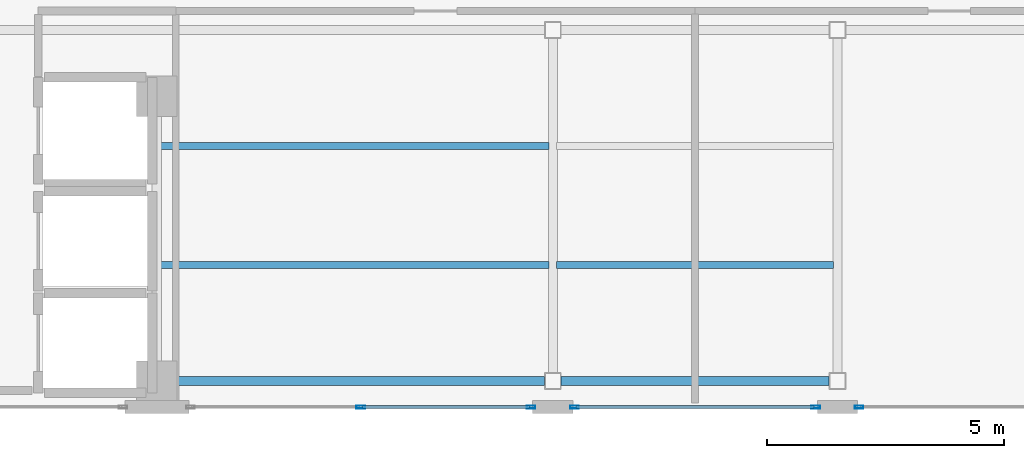
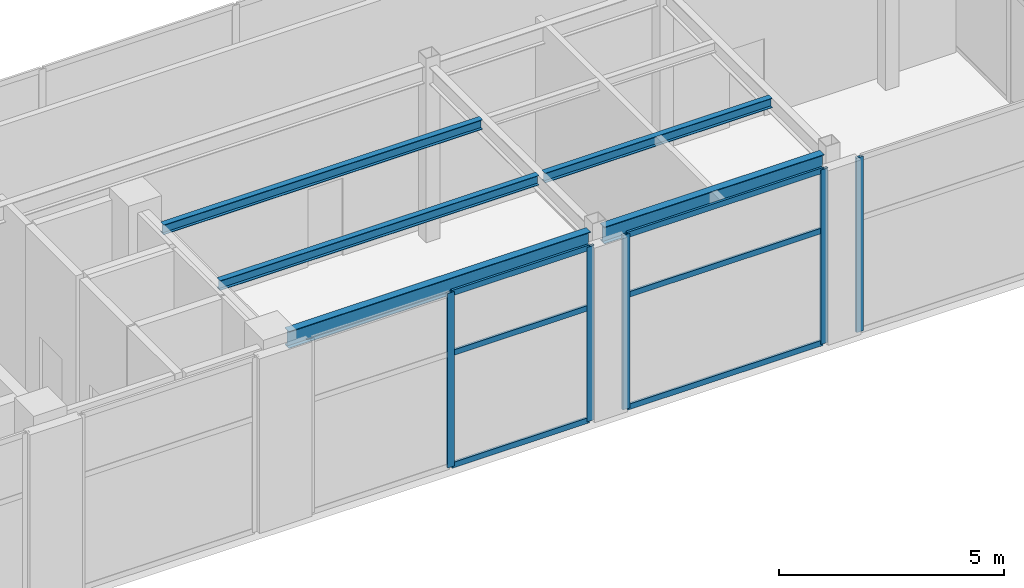
# One storey, part 7 of 18: 11 members, 5 beams, 3 elements without a shape of their own.
"""IFC4 building model written with IfcOpenShell, lengths in metres."""

from ifc_helpers import new_model, si_unit, direction, frame, origin, origin_2d, place, context, subcontext, project, spatial, hollow_rectangle, i_section, extrude, material, layer, layer_set, material_profile, profile_set, type_object, element, aggregate, save


model = new_model("IFC4")

# Units and contexts
model_context = context("Model", 3, precision=1e-05, world=origin(), true_north=direction((0.0, 1.0)))
body_context = subcontext(model_context, "Body", "Model", "MODEL_VIEW")
ifc_project = project(units=[si_unit("LENGTHUNIT", "METRE"), si_unit("AREAUNIT", "SQUARE_METRE"), si_unit("VOLUMEUNIT", "CUBIC_METRE"), si_unit("PLANEANGLEUNIT", "RADIAN"), si_unit("MASSUNIT", "GRAM", prefix="KILO")], contexts=[model_context])

# Site, building, storey
site_placement = place(None, origin())
site = spatial("IfcSite", under=ifc_project, at=site_placement, CompositionType="ELEMENT")
building_placement = place(site_placement, origin())
building = spatial("IfcBuilding", under=site, at=building_placement, Name="Mawjaban Terraces University", CompositionType="ELEMENT")
storey_placement = place(building_placement, frame((0.0, 0.0, 316.699951171875)))
storey = spatial("IfcBuildingStorey", under=building, at=storey_placement, Name="L77", CompositionType="ELEMENT", Elevation=316.699951171875)

# Beams
ifc_material_1 = material(Name="Steel ASTM A572 Grade 50", Category="steel")
ifc_material_profile_1 = material_profile(ifc_material_1, i_section(OverallWidth=0.19189453125, OverallDepth=0.462890625, WebThickness=0.010498046875, FlangeThickness=0.017578125, at=origin_2d()), Name="W460X89")
ifc_profile_set_1 = profile_set([ifc_material_profile_1], Name="Steel ASTM A572 Grade 50")
beam_type_1 = type_object("IfcBeamType", Name="Beam_B_W460X89", PredefinedType="BEAM", material=ifc_profile_set_1)
beam_1_placement = place(storey_placement, frame((38.074951171875, 0.550048828125, 4.509033203125), z_axis=(1.0, 0.0, 0.0), x_axis=(0.0, 1.0, 0.0)))
element("IfcBeam", 1, at=beam_1_placement, inside=storey, type_object=beam_type_1, Name="L77 Beam BM-L77-EW-01", PredefinedType="BEAM", context=body_context, shape_type="SweptSolid", body=[
    extrude(i_section(OverallWidth=0.19189453125, OverallDepth=0.462890625, WebThickness=0.010498046875, FlangeThickness=0.017578125, at=origin_2d()), origin(), (0.0, 0.0, 1.0), 7.75),
])
beam_2_placement = place(storey_placement, frame((46.175048828125, 0.550048828125, 4.509033203125), z_axis=(1.0, 0.0, 0.0), x_axis=(0.0, 1.0, 0.0)))
element("IfcBeam", 2, at=beam_2_placement, inside=storey, type_object=beam_type_1, Name="L77 Beam BM-L77-EW-02", PredefinedType="BEAM", context=body_context, shape_type="SweptSolid", body=[
    extrude(i_section(OverallWidth=0.19189453125, OverallDepth=0.462890625, WebThickness=0.010498046875, FlangeThickness=0.017578125, at=origin_2d()), origin(), (0.0, 0.0, 1.0), 5.64990234375),
])
ifc_material_profile_2 = material_profile(ifc_material_1, i_section(OverallWidth=0.14794921875, OverallDepth=0.26611328125, WebThickness=0.007568359375, FlangeThickness=0.012939453125, at=origin_2d()), Name="W250X45")
ifc_profile_set_2 = profile_set([ifc_material_profile_2], Name="Steel ASTM A572 Grade 50")
beam_type_2 = type_object("IfcBeamType", Name="Beam_J_W250X45", PredefinedType="JOIST", material=ifc_profile_set_2)
beam_3_placement = place(storey_placement, frame((37.72998046875, 3.0, 4.60693359375), z_axis=(1.0, 0.0, 0.0), x_axis=(0.0, 1.0, 0.0)))
element("IfcBeam", 3, at=beam_3_placement, inside=storey, type_object=beam_type_2, Name="L77 Composite Joist JST-L77-01", PredefinedType="JOIST", context=body_context, shape_type="SweptSolid", body=[
    extrude(i_section(OverallWidth=0.14794921875, OverallDepth=0.26611328125, WebThickness=0.007568359375, FlangeThickness=0.012939453125, at=origin_2d()), origin(), (0.0, 0.0, 1.0), 8.18994140625),
])
beam_4_placement = place(storey_placement, frame((46.080078125, 3.0, 4.60693359375), z_axis=(1.0, 0.0, 0.0), x_axis=(0.0, 1.0, 0.0)))
element("IfcBeam", 4, at=beam_4_placement, inside=storey, type_object=beam_type_2, Name="L77 Composite Joist JST-L77-02", PredefinedType="JOIST", context=body_context, shape_type="SweptSolid", body=[
    extrude(i_section(OverallWidth=0.14794921875, OverallDepth=0.26611328125, WebThickness=0.007568359375, FlangeThickness=0.012939453125, at=origin_2d()), origin(), (0.0, 0.0, 1.0), 5.83984375),
])
beam_5_placement = place(storey_placement, frame((37.72998046875, 5.5, 4.60693359375), z_axis=(1.0, 0.0, 0.0), x_axis=(0.0, 1.0, 0.0)))
element("IfcBeam", 5, at=beam_5_placement, inside=storey, type_object=beam_type_2, Name="L77 Composite Joist JST-L77-03", PredefinedType="JOIST", context=body_context, shape_type="SweptSolid", body=[
    extrude(i_section(OverallWidth=0.14794921875, OverallDepth=0.26611328125, WebThickness=0.007568359375, FlangeThickness=0.012939453125, at=origin_2d()), origin(), (0.0, 0.0, 1.0), 8.18994140625),
])

# Curtain wall, members
ifc_material_2 = material(Name="Anodised aluminium 6063-T6 and solar-control low-E glass", Category="aluminium")
ifc_layer = layer(ifc_material_2, 0.199951171875)
ifc_layer_set = layer_set([ifc_layer], Name="Anodised aluminium 6063-T6 and solar-control low-E glass")
curtain_wall_type = type_object("IfcCurtainWallType", Name="CWSystem_06_ObservationCrown", PredefinedType="NOTDEFINED", material=ifc_layer_set)
curtain_wall_1_placement = place(storey_placement, origin())
curtain_wall_1 = element("IfcCurtainWall", 6, at=curtain_wall_1_placement, inside=storey, type_object=curtain_wall_type, Name="L77 Curtain Wall CW-06 Run 1.3", PredefinedType="NOTDEFINED")
ifc_material_3 = material(Name="Anodised aluminium 6063-T6", Category="aluminium")
ifc_material_profile_3 = material_profile(ifc_material_3, hollow_rectangle(XDim=0.06494140625, YDim=0.179931640625, WallThickness=0.00390625, at=origin_2d()), Name="ALU180X65X4")
ifc_profile_set_3 = profile_set([ifc_material_profile_3], Name="Anodised aluminium 6063-T6")
member_type_1 = type_object("IfcMemberType", Name="Mullion_CW-06", PredefinedType="MULLION", material=ifc_profile_set_3)
member_1_placement = place(storey_placement, frame((41.949951171875, 0.0, 0.0), z_axis=(0.0, 0.0, 1.0), x_axis=(0.0, 1.0, 0.0)))
member_1 = element("IfcMember", 7, at=member_1_placement, type_object=member_type_1, Name="CW-06 mullion 2", PredefinedType="MULLION", context=body_context, shape_type="SweptSolid", body=[
    extrude(hollow_rectangle(XDim=0.06494140625, YDim=0.179931640625, WallThickness=0.00390625, at=origin_2d()), origin(), (0.0, 0.0, 1.0), 4.739990234375),
])
member_2_placement = place(storey_placement, frame((45.54248046875, 0.0, 0.0), z_axis=(0.0, 0.0, 1.0), x_axis=(0.0, 1.0, 0.0)))
member_2 = element("IfcMember", 8, at=member_2_placement, type_object=member_type_1, Name="CW-06 mullion 3", PredefinedType="MULLION", context=body_context, shape_type="SweptSolid", body=[
    extrude(hollow_rectangle(XDim=0.06494140625, YDim=0.179931640625, WallThickness=0.00390625, at=origin_2d()), origin(), (0.0, 0.0, 1.0), 4.739990234375),
])

curtain_wall_2_placement = place(storey_placement, origin())
curtain_wall_2 = element("IfcCurtainWall", 9, at=curtain_wall_2_placement, inside=storey, type_object=curtain_wall_type, Name="L77 Curtain Wall CW-06 Run 1.4", PredefinedType="NOTDEFINED")
member_3_placement = place(storey_placement, frame((46.45751953125, 0.0, 0.0), z_axis=(0.0, 0.0, 1.0), x_axis=(0.0, 1.0, 0.0)))
member_3 = element("IfcMember", 10, at=member_3_placement, type_object=member_type_1, Name="CW-06 mullion 1", PredefinedType="MULLION", context=body_context, shape_type="SweptSolid", body=[
    extrude(hollow_rectangle(XDim=0.06494140625, YDim=0.179931640625, WallThickness=0.00390625, at=origin_2d()), origin(), (0.0, 0.0, 1.0), 4.739990234375),
])
member_4_placement = place(storey_placement, frame((51.54248046875, 0.0, 0.0), z_axis=(0.0, 0.0, 1.0), x_axis=(0.0, 1.0, 0.0)))
member_4 = element("IfcMember", 11, at=member_4_placement, type_object=member_type_1, Name="CW-06 mullion 2", PredefinedType="MULLION", context=body_context, shape_type="SweptSolid", body=[
    extrude(hollow_rectangle(XDim=0.06494140625, YDim=0.179931640625, WallThickness=0.00390625, at=origin_2d()), origin(), (0.0, 0.0, 1.0), 4.739990234375),
])

# Curtain wall, member
curtain_wall_3_placement = place(storey_placement, origin())
curtain_wall_3 = element("IfcCurtainWall", 12, at=curtain_wall_3_placement, inside=storey, type_object=curtain_wall_type, Name="L77 Curtain Wall CW-06 Run 1.5", PredefinedType="NOTDEFINED")
member_5_placement = place(storey_placement, frame((52.45751953125, 0.0, 0.0), z_axis=(0.0, 0.0, 1.0), x_axis=(0.0, 1.0, 0.0)))
member_5 = element("IfcMember", 13, at=member_5_placement, type_object=member_type_1, Name="CW-06 mullion 1", PredefinedType="MULLION", context=body_context, shape_type="SweptSolid", body=[
    extrude(hollow_rectangle(XDim=0.06494140625, YDim=0.179931640625, WallThickness=0.00390625, at=origin_2d()), origin(), (0.0, 0.0, 1.0), 4.739990234375),
])
aggregate(curtain_wall_3, [member_5])

# Member
ifc_material_profile_4 = material_profile(ifc_material_3, hollow_rectangle(XDim=0.06005859375, YDim=0.14990234375, WallThickness=0.00390625, at=origin_2d()), Name="ALU150X60X4")
ifc_profile_set_4 = profile_set([ifc_material_profile_4], Name="Anodised aluminium 6063-T6")
member_type_2 = type_object("IfcMemberType", Name="Transom_CW-06", PredefinedType="NOTDEFINED", material=ifc_profile_set_4)
member_6_placement = place(storey_placement, frame((41.982421875, 0.0, 0.030029296875), z_axis=(1.0, 0.0, 0.0), x_axis=(0.0, 1.0, 0.0)))
member_6 = element("IfcMember", 14, at=member_6_placement, type_object=member_type_2, Name="CW-06 transom 2.1", ObjectType="TRANSOM", PredefinedType="USERDEFINED", context=body_context, shape_type="SweptSolid", body=[
    extrude(hollow_rectangle(XDim=0.06005859375, YDim=0.14990234375, WallThickness=0.00390625, at=origin_2d()), origin(), (0.0, 0.0, 1.0), 3.527587890625),
])

member_7_placement = place(storey_placement, frame((41.982421875, 0.0, 3.0810546875), z_axis=(1.0, 0.0, 0.0), x_axis=(0.0, 1.0, 0.0)))
member_7 = element("IfcMember", 15, at=member_7_placement, type_object=member_type_2, Name="CW-06 transom 2.2", ObjectType="TRANSOM", PredefinedType="USERDEFINED", context=body_context, shape_type="SweptSolid", body=[
    extrude(hollow_rectangle(XDim=0.06005859375, YDim=0.14990234375, WallThickness=0.00390625, at=origin_2d()), origin(), (0.0, 0.0, 1.0), 3.527587890625),
])

member_8_placement = place(storey_placement, frame((41.982421875, 0.0, 4.7099609375), z_axis=(1.0, 0.0, 0.0), x_axis=(0.0, 1.0, 0.0)))
member_8 = element("IfcMember", 16, at=member_8_placement, type_object=member_type_2, Name="CW-06 transom 2.3", ObjectType="TRANSOM", PredefinedType="USERDEFINED", context=body_context, shape_type="SweptSolid", body=[
    extrude(hollow_rectangle(XDim=0.06005859375, YDim=0.14990234375, WallThickness=0.00390625, at=origin_2d()), origin(), (0.0, 0.0, 1.0), 3.527587890625),
])

aggregate(curtain_wall_1, [member_1, member_2, member_6, member_7, member_8])

member_9_placement = place(storey_placement, frame((46.489990234375, 0.0, 0.030029296875), z_axis=(1.0, 0.0, 0.0), x_axis=(0.0, 1.0, 0.0)))
member_9 = element("IfcMember", 17, at=member_9_placement, type_object=member_type_2, Name="CW-06 transom 1.1", ObjectType="TRANSOM", PredefinedType="USERDEFINED", context=body_context, shape_type="SweptSolid", body=[
    extrude(hollow_rectangle(XDim=0.06005859375, YDim=0.14990234375, WallThickness=0.00390625, at=origin_2d()), origin(), (0.0, 0.0, 1.0), 5.02001953125),
])

member_10_placement = place(storey_placement, frame((46.489990234375, 0.0, 3.0810546875), z_axis=(1.0, 0.0, 0.0), x_axis=(0.0, 1.0, 0.0)))
member_10 = element("IfcMember", 18, at=member_10_placement, type_object=member_type_2, Name="CW-06 transom 1.2", ObjectType="TRANSOM", PredefinedType="USERDEFINED", context=body_context, shape_type="SweptSolid", body=[
    extrude(hollow_rectangle(XDim=0.06005859375, YDim=0.14990234375, WallThickness=0.00390625, at=origin_2d()), origin(), (0.0, 0.0, 1.0), 5.02001953125),
])

member_11_placement = place(storey_placement, frame((46.489990234375, 0.0, 4.7099609375), z_axis=(1.0, 0.0, 0.0), x_axis=(0.0, 1.0, 0.0)))
member_11 = element("IfcMember", 19, at=member_11_placement, type_object=member_type_2, Name="CW-06 transom 1.3", ObjectType="TRANSOM", PredefinedType="USERDEFINED", context=body_context, shape_type="SweptSolid", body=[
    extrude(hollow_rectangle(XDim=0.06005859375, YDim=0.14990234375, WallThickness=0.00390625, at=origin_2d()), origin(), (0.0, 0.0, 1.0), 5.02001953125),
])

aggregate(curtain_wall_2, [member_3, member_4, member_9, member_10, member_11])

save(model, "model.ifc")
